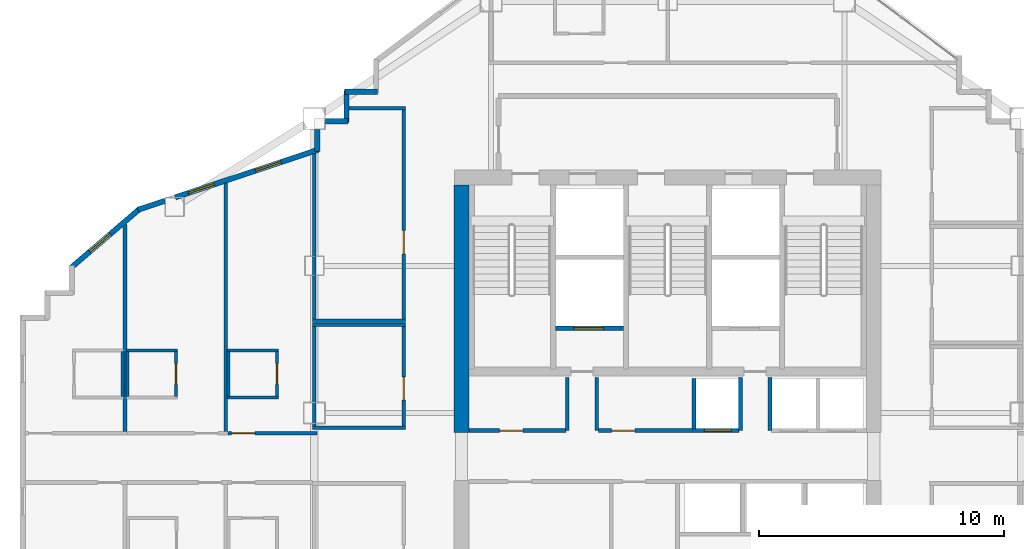
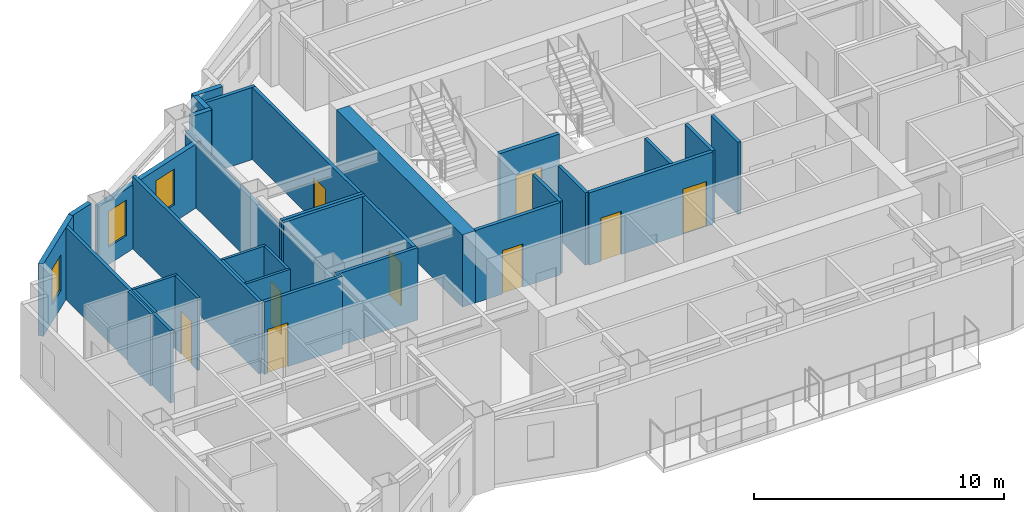
# One storey, part 6 of 11: 35 walls, 9 doors, 3 windows, 12 openings.
"""IFC4 building model written with IfcOpenShell, lengths in metres."""

from ifc_helpers import new_model, si_unit, direction, frame, frame_2d, origin, place, context, subcontext, project, spatial, rectangle, extrude, material, layer, layer_set, type_object, element, fill, save


model = new_model("IFC4")

# Units and contexts
model_context = context("Model", 3, precision=1e-05, world=origin(), true_north=direction((0.0, 1.0)))
body_context = subcontext(model_context, "Body", "Model", "MODEL_VIEW")
ifc_project = project(units=[si_unit("LENGTHUNIT", "METRE"), si_unit("AREAUNIT", "SQUARE_METRE"), si_unit("VOLUMEUNIT", "CUBIC_METRE"), si_unit("PLANEANGLEUNIT", "RADIAN"), si_unit("MASSUNIT", "GRAM", prefix="KILO")], contexts=[model_context])

# Site, building, storey
site_placement = place(None, origin())
site = spatial("IfcSite", under=ifc_project, at=site_placement, CompositionType="ELEMENT")
building_placement = place(site_placement, origin())
building = spatial("IfcBuilding", under=site, at=building_placement, Name="Haolan Belvedere Tower", CompositionType="ELEMENT")
storey_placement = place(building_placement, frame((0.0, 0.0, 226.800048828125)))
storey = spatial("IfcBuildingStorey", under=building, at=storey_placement, Name="L57", CompositionType="ELEMENT", Elevation=226.800048828125)

# Walls
ifc_material_1 = material(Name="Concrete C60/75", Category="concrete")
ifc_layer_1 = layer(ifc_material_1, 0.60009765625, Name="Concrete C60/75")
ifc_layer_set_1 = layer_set([ifc_layer_1], Name="Concrete C60/75")
wall_type_1 = type_object("IfcWallType", Name="WL-CORE-600", PredefinedType="SHEAR", material=ifc_layer_set_1)
wall_1_placement = place(storey_placement, frame((30.0, 32.800048828125, 0.0), z_axis=(0.0, 0.0, 1.0), x_axis=(0.0, 1.0, 0.0)))
element("IfcWall", 1, at=wall_1_placement, inside=storey, type_object=wall_type_1, Name="L57 central core shear wall WN", PredefinedType="SHEAR", context=body_context, shape_type="SweptSolid", body=[
    extrude(rectangle(XDim=10.099853515625, YDim=0.60009765625, at=frame_2d((5.0498046875, 0.0))), origin(), (0.0, 0.0, 1.0), 3.5400390625),
])
ifc_material_2 = material(Name="Precast concrete C40/50", Category="concrete")
ifc_layer_2 = layer(ifc_material_2, 0.219970703125, Name="Precast concrete C40/50")
ifc_layer_set_2 = layer_set([ifc_layer_2], Name="Precast concrete C40/50")
wall_type_2 = type_object("IfcWallType", Name="WL-EXT-220", PredefinedType="SOLIDWALL", material=ifc_layer_set_2)
for number, where, z_axis, x_axis, name in (
    (2, (26.56494140625, 46.68994140625, 0.0), (0.0, 0.0, 1.0), (-1.0, 0.0, 0.0), "L57 pale-metal exterior spandrel wall 25.1"),
    (3, (25.31005859375, 46.7451171875, 0.0), (0.0, 0.0, 1.0), (0.0, -1.0, 0.0), "L57 pale-metal exterior spandrel wall 26.1"),
):
    element("IfcWall", number, at=place(storey_placement, frame(where, z_axis=z_axis, x_axis=x_axis)), inside=storey, type_object=wall_type_2, Name=name, PredefinedType="SOLIDWALL", context=body_context, shape_type="SweptSolid", body=[
        extrude(rectangle(XDim=1.31005859375, YDim=0.219970703125, at=frame_2d((0.655029296875, 0.0))), origin(), (0.0, 0.0, 1.0), 3.5400390625),
    ])
wall_2_placement = place(storey_placement, frame((25.364990234375, 45.489990234375, 0.0), z_axis=(0.0, 0.0, 1.0), x_axis=(-1.0, 0.0, 0.0)))
element("IfcWall", 4, at=wall_2_placement, inside=storey, type_object=wall_type_2, Name="L57 pale-metal exterior spandrel wall 27.1", PredefinedType="SOLIDWALL", context=body_context, shape_type="SweptSolid", body=[
    extrude(rectangle(XDim=0.923095703125, YDim=0.219970703125, at=frame_2d((0.46142578125, 0.0))), origin(), (0.0, 0.0, 1.0), 3.5400390625),
])
wall_3_placement = place(storey_placement, frame((24.110107421875, 45.157958984375, 0.0), z_axis=(0.0, 0.0, 1.0), x_axis=(0.0, -1.0, 0.0)))
element("IfcWall", 5, at=wall_3_placement, inside=storey, type_object=wall_type_2, Name="L57 pale-metal exterior spandrel wall 28.1", PredefinedType="SOLIDWALL", context=body_context, shape_type="SweptSolid", body=[
    extrude(rectangle(XDim=0.892333984375, YDim=0.219970703125, at=frame_2d((0.4462890625, 0.0))), origin(), (0.0, 0.0, 1.0), 3.135009765625),
])

# Wall, openings, windows
wall_4_placement = place(storey_placement, frame((24.162109375, 44.338134765625, 0.0), z_axis=(0.0, 0.0, 1.0), x_axis=(-0.948687265055, -0.316215864755, 0.0)))
wall_4 = element("IfcWall", 6, at=wall_4_placement, inside=storey, type_object=wall_type_2, Name="L57 pale-metal exterior spandrel wall 29.1", PredefinedType="SOLIDWALL", context=body_context, shape_type="SweptSolid", body=[
    extrude(rectangle(XDim=6.154052734375, YDim=0.219970703125, at=frame_2d((3.0771484375, 0.0))), origin(), (0.0, 0.0, 1.0), 3.135009765625),
])
opening_1_placement = place(wall_4_placement, frame((1.60009765625, 0.0, 0.85009765625)))
opening_1 = element("IfcOpeningElement", 7, at=opening_1_placement, cuts=wall_4, Name="Opening W-03", PredefinedType="OPENING", context=body_context, shape_type="SweptSolid", body=[
    extrude(rectangle(XDim=1.10009765625, YDim=1.75, at=frame_2d((0.550048828125, 0.875))), frame((0.0, 0.119873046875, 0.0), z_axis=(0.0, -1.0, 0.0), x_axis=(1.0, 0.0, 0.0)), (0.0, 0.0, 1.0), 0.239990234375),
])
opening_2_placement = place(wall_4_placement, frame((4.48828125, 0.0, 0.85009765625)))
opening_2 = element("IfcOpeningElement", 8, at=opening_2_placement, cuts=wall_4, Name="Opening W-03", PredefinedType="OPENING", context=body_context, shape_type="SweptSolid", body=[
    extrude(rectangle(XDim=1.10009765625, YDim=1.75, at=frame_2d((0.550048828125, 0.875))), frame((0.0, 0.119873046875, 0.0), z_axis=(0.0, -1.0, 0.0), x_axis=(1.0, 0.0, 0.0)), (0.0, 0.0, 1.0), 0.239990234375),
])
ifc_material_3 = material(Name="Anodised aluminium 6063-T6 and Low-E glass", Category="aluminium")
window_type = type_object("IfcWindowType", Name="WN-DECO-Z3", PartitioningType="SINGLE_PANEL", PredefinedType="WINDOW", material=ifc_material_3)
window_1_placement = place(opening_1_placement, origin())
window_1 = element("IfcWindow", 9, at=window_1_placement, inside=storey, type_object=window_type, Name="L57 Art Deco chevron window 1", OverallHeight=1.75, OverallWidth=1.10009765625, PartitioningType="SINGLE_PANEL", PredefinedType="WINDOW", context=body_context, shape_type="SweptSolid", body=[
    extrude(rectangle(XDim=1.10009765625, YDim=1.75, at=frame_2d((0.550048828125, 0.875))), frame((0.0, 0.030029296875, 0.0), z_axis=(0.0, -1.0, 0.0), x_axis=(1.0, 0.0, 0.0)), (0.0, 0.0, 1.0), 0.06005859375),
])
fill(opening_1, window_1)
window_2_placement = place(opening_2_placement, origin())
window_2 = element("IfcWindow", 10, at=window_2_placement, inside=storey, type_object=window_type, Name="L57 Art Deco guestroom window 1", OverallHeight=1.75, OverallWidth=1.10009765625, PartitioningType="SINGLE_PANEL", PredefinedType="WINDOW", context=body_context, shape_type="SweptSolid", body=[
    extrude(rectangle(XDim=1.10009765625, YDim=1.75, at=frame_2d((0.550048828125, 0.875))), frame((0.0, 0.030029296875, 0.0), z_axis=(0.0, -1.0, 0.0), x_axis=(1.0, 0.0, 0.0)), (0.0, 0.0, 1.0), 0.06005859375),
])
fill(opening_2, window_2)

# Wall
wall_5_placement = place(storey_placement, frame((17.907958984375, 42.25341796875, 0.0), z_axis=(0.0, 0.0, 1.0), x_axis=(-0.948662335685, -0.316290646166, 0.0)))
element("IfcWall", 11, at=wall_5_placement, inside=storey, type_object=wall_type_2, Name="L57 pale-metal exterior spandrel wall 29.2", PredefinedType="SOLIDWALL", context=body_context, shape_type="SweptSolid", body=[
    extrude(rectangle(XDim=1.164794921875, YDim=0.219970703125, at=frame_2d((0.58251953125, 0.0))), origin(), (0.0, 0.0, 1.0), 3.5400390625),
])

# Wall, opening, window
wall_6_placement = place(storey_placement, frame((16.89697265625, 41.938232421875, 0.0), z_axis=(0.0, 0.0, 1.0), x_axis=(-0.759279729622, -0.650764390686, 0.0)))
wall_6 = element("IfcWall", 12, at=wall_6_placement, inside=storey, type_object=wall_type_2, Name="L57 pale-metal exterior spandrel wall 30.1", PredefinedType="SOLIDWALL", context=body_context, shape_type="SweptSolid", body=[
    extrude(rectangle(XDim=3.725830078125, YDim=0.219970703125, at=frame_2d((1.86279296875, 0.0))), origin(), (0.0, 0.0, 1.0), 3.5400390625),
])
opening_3_placement = place(wall_6_placement, frame((1.60009765625, 0.0, 0.85009765625)))
opening_3 = element("IfcOpeningElement", 13, at=opening_3_placement, cuts=wall_6, Name="Opening W-03", PredefinedType="OPENING", context=body_context, shape_type="SweptSolid", body=[
    extrude(rectangle(XDim=1.10009765625, YDim=1.75, at=frame_2d((0.550048828125, 0.875))), frame((0.0, 0.119873046875, 0.0), z_axis=(0.0, -1.0, 0.0), x_axis=(1.0, 0.0, 0.0)), (0.0, 0.0, 1.0), 0.239990234375),
])
window_3_placement = place(opening_3_placement, origin())
window_3 = element("IfcWindow", 14, at=window_3_placement, inside=storey, type_object=window_type, Name="L57 Art Deco chevron window 1", OverallHeight=1.75, OverallWidth=1.10009765625, PartitioningType="SINGLE_PANEL", PredefinedType="WINDOW", context=body_context, shape_type="SweptSolid", body=[
    extrude(rectangle(XDim=1.10009765625, YDim=1.75, at=frame_2d((0.550048828125, 0.875))), frame((0.0, 0.030029296875, 0.0), z_axis=(0.0, -1.0, 0.0), x_axis=(1.0, 0.0, 0.0)), (0.0, 0.0, 1.0), 0.06005859375),
])
fill(opening_3, window_3)

# Walls
ifc_material_4 = material(Name="Double gypsum acoustic stud partition", Category="masonry")
ifc_layer_3 = layer(ifc_material_4, 0.14990234375, Name="Double gypsum acoustic stud partition")
ifc_layer_set_3 = layer_set([ifc_layer_3], Name="Double gypsum acoustic stud partition")
wall_type_3 = type_object("IfcWallType", Name="WL-PART-150", PredefinedType="PARTITIONING", material=ifc_layer_set_3)
for number, where, z_axis, x_axis, name in (
    (15, (23.919921875, 37.199951171875, 0.0), (0.0, 0.0, 1.0), (1.0, 0.0, 0.0), "L57 interior partition IW-L57-HSK-N"),
    (16, (23.919921875, 33.0, 0.0), (0.0, 0.0, 1.0), (1.0, 0.0, 0.0), "L57 interior partition IW-L57-HSK-S"),
):
    element("IfcWall", number, at=place(storey_placement, frame(where, z_axis=z_axis, x_axis=x_axis)), inside=storey, type_object=wall_type_3, Name=name, PredefinedType="PARTITIONING", context=body_context, shape_type="SweptSolid", body=[
        extrude(rectangle(XDim=3.800048828125, YDim=0.14990234375, at=frame_2d((1.89990234375, 0.0))), origin(), (0.0, 0.0, 1.0), 3.5400390625),
    ])
wall_7_placement = place(storey_placement, frame((24.0, 33.06005859375, 0.0), z_axis=(0.0, 0.0, 1.0), x_axis=(0.0, 1.0, 0.0)))
element("IfcWall", 17, at=wall_7_placement, inside=storey, type_object=wall_type_3, Name="L57 interior partition IW-L57-HSK-W", PredefinedType="PARTITIONING", context=body_context, shape_type="SweptSolid", body=[
    extrude(rectangle(XDim=4.079833984375, YDim=0.14990234375, at=frame_2d((2.0400390625, 0.0))), origin(), (0.0, 0.0, 1.0), 3.135009765625),
])

# Wall, opening, door
wall_8_placement = place(storey_placement, frame((27.639892578125, 33.06005859375, 0.0), z_axis=(0.0, 0.0, 1.0), x_axis=(0.0, 1.0, 0.0)))
wall_8 = element("IfcWall", 18, at=wall_8_placement, inside=storey, type_object=wall_type_3, Name="L57 interior partition IW-L57-HSK-E", PredefinedType="PARTITIONING", context=body_context, shape_type="SweptSolid", body=[
    extrude(rectangle(XDim=4.079833984375, YDim=0.14990234375, at=frame_2d((2.0400390625, 0.0))), origin(), (0.0, 0.0, 1.0), 3.5400390625),
])
opening_4_placement = place(wall_8_placement, frame((2.010009765625, 0.0, 0.0), z_axis=(0.0, 0.0, 1.0), x_axis=(-1.0, 0.0, 0.0)))
opening_4 = element("IfcOpeningElement", 19, at=opening_4_placement, cuts=wall_8, Name="Opening ID-03", PredefinedType="OPENING", context=body_context, shape_type="SweptSolid", body=[
    extrude(rectangle(XDim=0.949951171875, YDim=2.1201171875, at=frame_2d((0.47509765625, 1.06005859375))), frame((0.0, 0.0849609375, 0.0), z_axis=(0.0, -1.0, 0.0), x_axis=(1.0, 0.0, 0.0)), (0.0, 0.0, 1.0), 0.169921875),
])
ifc_material_5 = material(Name="Painted solid-core timber", Category="wood")
door_type_1 = type_object("IfcDoorType", Name="DR-INT-950", OperationType="NOTDEFINED", PredefinedType="DOOR", material=ifc_material_5)
door_1_placement = place(opening_4_placement, origin())
door_1 = element("IfcDoor", 20, at=door_1_placement, inside=storey, type_object=door_type_1, Name="L57 door ID-L57-HSK", OperationType="SINGLE_SWING_LEFT", OverallHeight=2.1201171875, OverallWidth=0.949951171875, PredefinedType="DOOR", context=body_context, shape_type="SweptSolid", body=[
    extrude(rectangle(XDim=0.949951171875, YDim=2.1201171875, at=frame_2d((0.47509765625, 1.06005859375))), frame((0.0, 0.02490234375, 0.0), z_axis=(0.0, -1.0, 0.0), x_axis=(1.0, 0.0, 0.0)), (0.0, 0.0, 1.0), 0.050048828125),
])
fill(opening_4, door_1)

# Walls
wall_9_placement = place(storey_placement, frame((25.412109375, 46.02001953125, 0.0), z_axis=(0.0, 0.0, 1.0), x_axis=(1.0, 0.0, 0.0)))
element("IfcWall", 21, at=wall_9_placement, inside=storey, type_object=wall_type_3, Name="L57 interior partition IW-L57-MTG-N", PredefinedType="PARTITIONING", context=body_context, shape_type="SweptSolid", body=[
    extrude(rectangle(XDim=2.307861328125, YDim=0.14990234375, at=frame_2d((1.15380859375, 0.0))), origin(), (0.0, 0.0, 1.0), 3.5400390625),
])
wall_10_placement = place(storey_placement, frame((23.919921875, 37.360107421875, 0.0), z_axis=(0.0, 0.0, 1.0), x_axis=(1.0, 0.0, 0.0)))
element("IfcWall", 22, at=wall_10_placement, inside=storey, type_object=wall_type_3, Name="L57 interior partition IW-L57-MTG-S", PredefinedType="PARTITIONING", context=body_context, shape_type="SweptSolid", body=[
    extrude(rectangle(XDim=3.800048828125, YDim=0.14990234375, at=frame_2d((1.89990234375, 0.0))), origin(), (0.0, 0.0, 1.0), 3.5400390625),
])
wall_11_placement = place(storey_placement, frame((24.0, 37.419921875, 0.0), z_axis=(0.0, 0.0, 1.0), x_axis=(0.0, 1.0, 0.0)))
element("IfcWall", 23, at=wall_11_placement, inside=storey, type_object=wall_type_3, Name="L57 interior partition IW-L57-MTG-W", PredefinedType="PARTITIONING", context=body_context, shape_type="SweptSolid", body=[
    extrude(rectangle(XDim=6.756591796875, YDim=0.14990234375, at=frame_2d((3.37841796875, 0.0))), origin(), (0.0, 0.0, 1.0), 3.135009765625),
])

# Wall, opening, door
wall_12_placement = place(storey_placement, frame((27.639892578125, 37.419921875, 0.0), z_axis=(0.0, 0.0, 1.0), x_axis=(0.0, 1.0, 0.0)))
wall_12 = element("IfcWall", 24, at=wall_12_placement, inside=storey, type_object=wall_type_3, Name="L57 interior partition IW-L57-MTG-E", PredefinedType="PARTITIONING", context=body_context, shape_type="SweptSolid", body=[
    extrude(rectangle(XDim=8.5400390625, YDim=0.14990234375, at=frame_2d((4.27001953125, 0.0))), origin(), (0.0, 0.0, 1.0), 3.5400390625),
])
opening_5_placement = place(wall_12_placement, frame((3.60986328125, 0.0, 0.0), z_axis=(0.0, 0.0, 1.0), x_axis=(-1.0, 0.0, 0.0)))
opening_5 = element("IfcOpeningElement", 25, at=opening_5_placement, cuts=wall_12, Name="Opening ID-03", PredefinedType="OPENING", context=body_context, shape_type="SweptSolid", body=[
    extrude(rectangle(XDim=0.949951171875, YDim=2.1201171875, at=frame_2d((0.47509765625, 1.06005859375))), frame((0.0, 0.0849609375, 0.0), z_axis=(0.0, -1.0, 0.0), x_axis=(1.0, 0.0, 0.0)), (0.0, 0.0, 1.0), 0.169921875),
])
door_2_placement = place(opening_5_placement, origin())
door_2 = element("IfcDoor", 26, at=door_2_placement, inside=storey, type_object=door_type_1, Name="L57 door ID-L57-MTG", OperationType="SINGLE_SWING_RIGHT", OverallHeight=2.1201171875, OverallWidth=0.949951171875, PredefinedType="DOOR", context=body_context, shape_type="SweptSolid", body=[
    extrude(rectangle(XDim=0.949951171875, YDim=2.1201171875, at=frame_2d((0.47509765625, 1.06005859375))), frame((0.0, 0.02490234375, 0.0), z_axis=(0.0, -1.0, 0.0), x_axis=(1.0, 0.0, 0.0)), (0.0, 0.0, 1.0), 0.050048828125),
])
fill(opening_5, door_2)

# Walls
wall_13_placement = place(storey_placement, frame((16.280029296875, 32.840087890625, 0.0), z_axis=(0.0, 0.0, 1.0), x_axis=(0.0, 1.0, 0.0)))
element("IfcWall", 27, at=wall_13_placement, inside=storey, type_object=wall_type_3, Name="L57 interior partition IW-L57-T2N1-E", PredefinedType="PARTITIONING", context=body_context, shape_type="SweptSolid", body=[
    extrude(rectangle(XDim=8.43505859375, YDim=0.14990234375, at=frame_2d((4.217529296875, 0.0))), origin(), (0.0, 0.0, 1.0), 3.5400390625),
])
wall_14_placement = place(storey_placement, frame((20.3798828125, 32.840087890625, 0.0), z_axis=(0.0, 0.0, 1.0), x_axis=(0.0, 1.0, 0.0)))
element("IfcWall", 28, at=wall_14_placement, inside=storey, type_object=wall_type_3, Name="L57 interior partition IW-L57-T2N2-E", PredefinedType="PARTITIONING", context=body_context, shape_type="SweptSolid", body=[
    extrude(rectangle(XDim=10.1298828125, YDim=0.14990234375, at=frame_2d((5.06494140625, 0.0))), origin(), (0.0, 0.0, 1.0), 3.5400390625),
])

# Wall, opening, door
wall_15_placement = place(storey_placement, frame((20.48193359375, 32.780029296875, 0.0), z_axis=(0.0, 0.0, 1.0), x_axis=(1.0, 0.0, 0.0)))
wall_15 = element("IfcWall", 29, at=wall_15_placement, inside=storey, type_object=wall_type_3, Name="L57 interior partition IW-L57-T2N3-S", PredefinedType="PARTITIONING", context=body_context, shape_type="SweptSolid", body=[
    extrude(rectangle(XDim=3.6181640625, YDim=0.14990234375, at=frame_2d((1.80908203125, 0.0))), origin(), (0.0, 0.0, 1.0), 3.5400390625),
])
opening_6_placement = place(wall_15_placement, frame((0.139892578125, 0.0, 0.0)))
opening_6 = element("IfcOpeningElement", 30, at=opening_6_placement, cuts=wall_15, Name="Opening ID-02", PredefinedType="OPENING", context=body_context, shape_type="SweptSolid", body=[
    extrude(rectangle(XDim=0.949951171875, YDim=2.14990234375, at=frame_2d((0.47509765625, 1.074951171875))), frame((0.0, 0.0849609375, 0.0), z_axis=(0.0, -1.0, 0.0), x_axis=(1.0, 0.0, 0.0)), (0.0, 0.0, 1.0), 0.169921875),
])
ifc_material_6 = material(Name="Acoustic oak veneer fire-rated timber", Category="wood")
door_type_2 = type_object("IfcDoorType", Name="DR-GUEST-950", OperationType="NOTDEFINED", PredefinedType="DOOR", material=ifc_material_6)
door_3_placement = place(opening_6_placement, origin())
door_3 = element("IfcDoor", 31, at=door_3_placement, inside=storey, type_object=door_type_2, Name="L57 door ID-L57-T2N3-ENT", OperationType="SINGLE_SWING_LEFT", OverallHeight=2.14990234375, OverallWidth=0.949951171875, PredefinedType="DOOR", context=body_context, shape_type="SweptSolid", body=[
    extrude(rectangle(XDim=0.949951171875, YDim=2.14990234375, at=frame_2d((0.47509765625, 1.074951171875))), frame((0.0, 0.02490234375, 0.0), z_axis=(0.0, -1.0, 0.0), x_axis=(1.0, 0.0, 0.0)), (0.0, 0.0, 1.0), 0.050048828125),
])
fill(opening_6, door_3)

# Walls
ifc_material_7 = material(Name="Gypsum fire shaftwall assembly", Category="masonry")
ifc_layer_4 = layer(ifc_material_7, 0.1650390625, Name="Gypsum fire shaftwall assembly")
ifc_layer_set_4 = layer_set([ifc_layer_4], Name="Gypsum fire shaftwall assembly")
wall_type_4 = type_object("IfcWallType", Name="WL-SHAFT-160", PredefinedType="SOLIDWALL", material=ifc_layer_set_4)
for number, where, z_axis, x_axis, name in (
    (32, (34.31005859375, 32.8798828125, 0.0), (0.0, 0.0, 1.0), (0.0, 1.0, 0.0), "L57 interior partition IW-L57-SVP-W-SV1"),
    (33, (35.510009765625, 32.8798828125, 0.0), (0.0, 0.0, 1.0), (0.0, 1.0, 0.0), "L57 interior partition IW-L57-SVP-E-SV1"),
    (34, (41.3701171875, 32.8798828125, 0.0), (0.0, 0.0, 1.0), (0.0, 1.0, 0.0), "L57 interior partition IW-L57-SVP-W-SV2"),
    (35, (42.570068359375, 32.8798828125, 0.0), (0.0, 0.0, 1.0), (0.0, 1.0, 0.0), "L57 interior partition IW-L57-SVP-E-SV2"),
):
    element("IfcWall", number, at=place(storey_placement, frame(where, z_axis=z_axis, x_axis=x_axis)), inside=storey, type_object=wall_type_4, Name=name, PredefinedType="SOLIDWALL", context=body_context, shape_type="SweptSolid", body=[
        extrude(rectangle(XDim=2.170166015625, YDim=0.14990234375, at=frame_2d((1.0849609375, 0.0))), origin(), (0.0, 0.0, 1.0), 3.5400390625),
    ])

# Wall, opening, door
wall_16_placement = place(storey_placement, frame((30.300048828125, 32.8798828125, 0.0), z_axis=(0.0, 0.0, 1.0), x_axis=(1.0, 0.0, 0.0)))
wall_16 = element("IfcWall", 36, at=wall_16_placement, inside=storey, type_object=wall_type_4, Name="L57 interior partition IW-L57-ROW-PN1", PredefinedType="SOLIDWALL", context=body_context, shape_type="SweptSolid", body=[
    extrude(rectangle(XDim=3.949951171875, YDim=0.159912109375, at=frame_2d((1.97509765625, 0.0))), origin(), (0.0, 0.0, 1.0), 3.5400390625),
])
opening_7_placement = place(wall_16_placement, frame((2.199951171875, 0.0, 0.0), z_axis=(0.0, 0.0, 1.0), x_axis=(-1.0, 0.0, 0.0)))
opening_7 = element("IfcOpeningElement", 37, at=opening_7_placement, cuts=wall_16, Name="Opening ID-03", PredefinedType="OPENING", context=body_context, shape_type="SweptSolid", body=[
    extrude(rectangle(XDim=0.949951171875, YDim=2.1201171875, at=frame_2d((0.47509765625, 1.06005859375))), frame((0.0, 0.08984375, 0.0), z_axis=(0.0, -1.0, 0.0), x_axis=(1.0, 0.0, 0.0)), (0.0, 0.0, 1.0), 0.179931640625),
])
door_4_placement = place(opening_7_placement, origin())
door_4 = element("IfcDoor", 38, at=door_4_placement, inside=storey, type_object=door_type_1, Name="L57 door ID-L57-CD-RPLW", OperationType="SINGLE_SWING_LEFT", OverallHeight=2.1201171875, OverallWidth=0.949951171875, PredefinedType="DOOR", context=body_context, shape_type="SweptSolid", body=[
    extrude(rectangle(XDim=0.949951171875, YDim=2.1201171875, at=frame_2d((0.47509765625, 1.06005859375))), frame((0.0, 0.02490234375, 0.0), z_axis=(0.0, -1.0, 0.0), x_axis=(1.0, 0.0, 0.0)), (0.0, 0.0, 1.0), 0.050048828125),
])
fill(opening_7, door_4)

# Wall, openings, doors
wall_17_placement = place(storey_placement, frame((35.570068359375, 32.8798828125, 0.0), z_axis=(0.0, 0.0, 1.0), x_axis=(1.0, 0.0, 0.0)))
wall_17 = element("IfcWall", 39, at=wall_17_placement, inside=storey, type_object=wall_type_4, Name="L57 interior partition IW-L57-ROW-PN2", PredefinedType="SOLIDWALL", context=body_context, shape_type="SweptSolid", body=[
    extrude(rectangle(XDim=5.739990234375, YDim=0.159912109375, at=frame_2d((2.8701171875, 0.0))), origin(), (0.0, 0.0, 1.0), 3.5400390625),
])
opening_8_placement = place(wall_17_placement, frame((1.489990234375, 0.0, 0.0), z_axis=(0.0, 0.0, 1.0), x_axis=(-1.0, 0.0, 0.0)))
opening_8 = element("IfcOpeningElement", 40, at=opening_8_placement, cuts=wall_17, Name="Opening ID-03", PredefinedType="OPENING", context=body_context, shape_type="SweptSolid", body=[
    extrude(rectangle(XDim=0.949951171875, YDim=2.1201171875, at=frame_2d((0.47509765625, 1.06005859375))), frame((0.0, 0.08984375, 0.0), z_axis=(0.0, -1.0, 0.0), x_axis=(1.0, 0.0, 0.0)), (0.0, 0.0, 1.0), 0.179931640625),
])
opening_9_placement = place(wall_17_placement, frame((5.43017578125, 0.0, 0.0), z_axis=(0.0, 0.0, 1.0), x_axis=(-1.0, 0.0, 0.0)))
opening_9 = element("IfcOpeningElement", 41, at=opening_9_placement, cuts=wall_17, Name="Opening LD-01", PredefinedType="OPENING", context=body_context, shape_type="SweptSolid", body=[
    extrude(rectangle(XDim=1.10009765625, YDim=2.199951171875, at=frame_2d((0.550048828125, 1.10009765625))), frame((0.0, 0.08984375, 0.0), z_axis=(0.0, -1.0, 0.0), x_axis=(1.0, 0.0, 0.0)), (0.0, 0.0, 1.0), 0.179931640625),
])
door_5_placement = place(opening_8_placement, origin())
door_5 = element("IfcDoor", 42, at=door_5_placement, inside=storey, type_object=door_type_1, Name="L57 door ID-L57-CD-RPLE", OperationType="SINGLE_SWING_RIGHT", OverallHeight=2.1201171875, OverallWidth=0.949951171875, PredefinedType="DOOR", context=body_context, shape_type="SweptSolid", body=[
    extrude(rectangle(XDim=0.949951171875, YDim=2.1201171875, at=frame_2d((0.47509765625, 1.06005859375))), frame((0.0, 0.02490234375, 0.0), z_axis=(0.0, -1.0, 0.0), x_axis=(1.0, 0.0, 0.0)), (0.0, 0.0, 1.0), 0.050048828125),
])
fill(opening_8, door_5)
ifc_material_8 = material(Name="Brushed champagne stainless steel 316L", Category="steel")
door_type_3 = type_object("IfcDoorType", Name="DR-LIFT-1100", OperationType="SLIDING_TO_LEFT", PredefinedType="DOOR", material=ifc_material_8)
door_6_placement = place(opening_9_placement, origin())
door_6 = element("IfcDoor", 43, at=door_6_placement, inside=storey, type_object=door_type_3, Name="L57 door ID-L57-LD-PH1", OperationType="SLIDING_TO_RIGHT", OverallHeight=2.199951171875, OverallWidth=1.10009765625, PredefinedType="DOOR", context=body_context, shape_type="SweptSolid", body=[
    extrude(rectangle(XDim=1.10009765625, YDim=2.199951171875, at=frame_2d((0.550048828125, 1.10009765625))), frame((0.0, 0.02490234375, 0.0), z_axis=(0.0, -1.0, 0.0), x_axis=(1.0, 0.0, 0.0)), (0.0, 0.0, 1.0), 0.050048828125),
])
fill(opening_9, door_6)

# Wall
wall_18_placement = place(storey_placement, frame((39.469970703125, 32.949951171875, 0.0), z_axis=(0.0, 0.0, 1.0), x_axis=(0.0, 1.0, 0.0)))
element("IfcWall", 44, at=wall_18_placement, inside=storey, type_object=wall_type_4, Name="L57 interior partition IW-L57-DIV-PL4R", PredefinedType="SOLIDWALL", context=body_context, shape_type="SweptSolid", body=[
    extrude(rectangle(XDim=2.050048828125, YDim=0.14990234375, at=frame_2d((1.02490234375, 0.0))), origin(), (0.0, 0.0, 1.0), 3.5400390625),
])

# Wall, opening, door
ifc_layer_5 = layer(ifc_material_2, 0.179931640625, Name="Precast concrete C40/50")
ifc_layer_set_5 = layer_set([ifc_layer_5], Name="Precast concrete C40/50")
wall_type_5 = type_object("IfcWallType", Name="WL-SHAFT-180", PredefinedType="SOLIDWALL", material=ifc_layer_set_5)
wall_19_placement = place(storey_placement, frame((33.8349609375, 37.050048828125, 0.0), z_axis=(0.0, 0.0, 1.0), x_axis=(1.0, 0.0, 0.0)))
wall_19 = element("IfcWall", 45, at=wall_19_placement, inside=storey, type_object=wall_type_5, Name="L57 interior partition IW-L57-SV1-S", PredefinedType="SOLIDWALL", context=body_context, shape_type="SweptSolid", body=[
    extrude(rectangle(XDim=2.77001953125, YDim=0.179931640625, at=frame_2d((1.385009765625, 0.0))), origin(), (0.0, 0.0, 1.0), 3.5400390625),
])
opening_10_placement = place(wall_19_placement, frame((1.945068359375, 0.0, 0.0), z_axis=(0.0, 0.0, 1.0), x_axis=(-1.0, 0.0, 0.0)))
opening_10 = element("IfcOpeningElement", 46, at=opening_10_placement, cuts=wall_19, Name="Opening LD-02", PredefinedType="OPENING", context=body_context, shape_type="SweptSolid", body=[
    extrude(rectangle(XDim=1.199951171875, YDim=2.199951171875, at=frame_2d((0.60009765625, 1.10009765625))), frame((0.0, 0.099853515625, 0.0), z_axis=(0.0, -1.0, 0.0), x_axis=(1.0, 0.0, 0.0)), (0.0, 0.0, 1.0), 0.199951171875),
])
door_type_4 = type_object("IfcDoorType", Name="DR-LIFT-1200", OperationType="SLIDING_TO_RIGHT", PredefinedType="DOOR", material=ifc_material_8)
door_7_placement = place(opening_10_placement, origin())
door_7 = element("IfcDoor", 47, at=door_7_placement, inside=storey, type_object=door_type_4, Name="L57 door ID-L57-LD-SV1", OperationType="SLIDING_TO_RIGHT", OverallHeight=2.199951171875, OverallWidth=1.199951171875, PredefinedType="DOOR", context=body_context, shape_type="SweptSolid", body=[
    extrude(rectangle(XDim=1.199951171875, YDim=2.199951171875, at=frame_2d((0.60009765625, 1.10009765625))), frame((0.0, 0.02490234375, 0.0), z_axis=(0.0, -1.0, 0.0), x_axis=(1.0, 0.0, 0.0)), (0.0, 0.0, 1.0), 0.050048828125),
])
fill(opening_10, door_7)

# Walls
ifc_material_9 = material(Name="Moisture-resistant gypsum tile partition", Category="masonry")
ifc_layer_6 = layer(ifc_material_9, 0.1201171875, Name="Moisture-resistant gypsum tile partition")
ifc_layer_set_6 = layer_set([ifc_layer_6], Name="Moisture-resistant gypsum tile partition")
wall_type_6 = type_object("IfcWallType", Name="WL-WET-120", PredefinedType="PARTITIONING", material=ifc_layer_set_6)
wall_20_placement = place(storey_placement, frame((16.179931640625, 34.27490234375, 0.0), z_axis=(0.0, 0.0, 1.0), x_axis=(0.0, 1.0, 0.0)))
element("IfcWall", 48, at=wall_20_placement, inside=storey, type_object=wall_type_6, Name="L57 interior partition IW-L57-T2N1-BE", PredefinedType="PARTITIONING", context=body_context, shape_type="SweptSolid", body=[
    extrude(rectangle(XDim=1.830078125, YDim=0.1201171875, at=frame_2d((0.9150390625, 0.0))), origin(), (0.0, 0.0, 1.0), 3.5400390625),
])
wall_21_placement = place(storey_placement, frame((16.340087890625, 36.14990234375, 0.0), z_axis=(0.0, 0.0, 1.0), x_axis=(1.0, 0.0, 0.0)))
element("IfcWall", 49, at=wall_21_placement, inside=storey, type_object=wall_type_6, Name="L57 interior partition IW-L57-T2N2-BN", PredefinedType="PARTITIONING", context=body_context, shape_type="SweptSolid", body=[
    extrude(rectangle(XDim=2.079833984375, YDim=0.1201171875, at=frame_2d((1.0400390625, 0.0))), origin(), (0.0, 0.0, 1.0), 3.5400390625),
])
wall_22_placement = place(storey_placement, frame((16.3798828125, 34.27490234375, 0.0), z_axis=(0.0, 0.0, 1.0), x_axis=(0.0, 1.0, 0.0)))
element("IfcWall", 50, at=wall_22_placement, inside=storey, type_object=wall_type_6, Name="L57 interior partition IW-L57-T2N2-BW", PredefinedType="PARTITIONING", context=body_context, shape_type="SweptSolid", body=[
    extrude(rectangle(XDim=1.830078125, YDim=0.1201171875, at=frame_2d((0.9150390625, 0.0))), origin(), (0.0, 0.0, 1.0), 3.5400390625),
])

# Wall, opening, door
wall_23_placement = place(storey_placement, frame((18.360107421875, 34.27490234375, 0.0), z_axis=(0.0, 0.0, 1.0), x_axis=(0.0, 1.0, 0.0)))
wall_23 = element("IfcWall", 51, at=wall_23_placement, inside=storey, type_object=wall_type_6, Name="L57 interior partition IW-L57-T2N2-BE", PredefinedType="PARTITIONING", context=body_context, shape_type="SweptSolid", body=[
    extrude(rectangle(XDim=1.830078125, YDim=0.1201171875, at=frame_2d((0.9150390625, 0.0))), origin(), (0.0, 0.0, 1.0), 3.5400390625),
])
opening_11_placement = place(wall_23_placement, frame((0.489990234375, 0.0, 0.0)))
opening_11 = element("IfcOpeningElement", 52, at=opening_11_placement, cuts=wall_23, Name="Opening ID-05", PredefinedType="OPENING", context=body_context, shape_type="SweptSolid", body=[
    extrude(rectangle(XDim=0.85009765625, YDim=2.10009765625, at=frame_2d((0.425048828125, 1.050048828125))), frame((0.0, 0.070068359375, 0.0), z_axis=(0.0, -1.0, 0.0), x_axis=(1.0, 0.0, 0.0)), (0.0, 0.0, 1.0), 0.14013671875),
])
ifc_material_10 = material(Name="Moisture-resistant lacquered timber", Category="wood")
door_type_5 = type_object("IfcDoorType", Name="DR-BATH-850", OperationType="NOTDEFINED", PredefinedType="DOOR", material=ifc_material_10)
door_8_placement = place(opening_11_placement, origin())
door_8 = element("IfcDoor", 53, at=door_8_placement, inside=storey, type_object=door_type_5, Name="L57 door ID-L57-T2N2-BATH", OperationType="SINGLE_SWING_LEFT", OverallHeight=2.10009765625, OverallWidth=0.85009765625, PredefinedType="DOOR", context=body_context, shape_type="SweptSolid", body=[
    extrude(rectangle(XDim=0.85009765625, YDim=2.10009765625, at=frame_2d((0.425048828125, 1.050048828125))), frame((0.0, 0.02490234375, 0.0), z_axis=(0.0, -1.0, 0.0), x_axis=(1.0, 0.0, 0.0)), (0.0, 0.0, 1.0), 0.050048828125),
])
fill(opening_11, door_8)

# Walls
for number, where, z_axis, x_axis, name in (
    (54, (20.43994140625, 36.14990234375, 0.0), (0.0, 0.0, 1.0), (1.0, 0.0, 0.0), "L57 interior partition IW-L57-T2N3-BN"),
    (55, (20.43994140625, 34.22998046875, 0.0), (0.0, 0.0, 1.0), (1.0, 0.0, 0.0), "L57 interior partition IW-L57-T2N3-BS"),
):
    element("IfcWall", number, at=place(storey_placement, frame(where, z_axis=z_axis, x_axis=x_axis)), inside=storey, type_object=wall_type_6, Name=name, PredefinedType="PARTITIONING", context=body_context, shape_type="SweptSolid", body=[
        extrude(rectangle(XDim=2.09423828125, YDim=0.1201171875, at=frame_2d((1.047119140625, 0.0))), origin(), (0.0, 0.0, 1.0), 3.5400390625),
    ])
wall_24_placement = place(storey_placement, frame((20.494140625, 34.27490234375, 0.0), z_axis=(0.0, 0.0, 1.0), x_axis=(0.0, 1.0, 0.0)))
element("IfcWall", 56, at=wall_24_placement, inside=storey, type_object=wall_type_6, Name="L57 interior partition IW-L57-T2N3-BW", PredefinedType="PARTITIONING", context=body_context, shape_type="SweptSolid", body=[
    extrude(rectangle(XDim=1.830078125, YDim=0.1201171875, at=frame_2d((0.9150390625, 0.0))), origin(), (0.0, 0.0, 1.0), 3.5400390625),
])

# Wall, opening, door
wall_25_placement = place(storey_placement, frame((22.47412109375, 34.27490234375, 0.0), z_axis=(0.0, 0.0, 1.0), x_axis=(0.0, 1.0, 0.0)))
wall_25 = element("IfcWall", 57, at=wall_25_placement, inside=storey, type_object=wall_type_6, Name="L57 interior partition IW-L57-T2N3-BE", PredefinedType="PARTITIONING", context=body_context, shape_type="SweptSolid", body=[
    extrude(rectangle(XDim=1.830078125, YDim=0.1201171875, at=frame_2d((0.9150390625, 0.0))), origin(), (0.0, 0.0, 1.0), 3.5400390625),
])
opening_12_placement = place(wall_25_placement, frame((0.489990234375, 0.0, 0.0)))
opening_12 = element("IfcOpeningElement", 58, at=opening_12_placement, cuts=wall_25, Name="Opening ID-05", PredefinedType="OPENING", context=body_context, shape_type="SweptSolid", body=[
    extrude(rectangle(XDim=0.85009765625, YDim=2.10009765625, at=frame_2d((0.425048828125, 1.050048828125))), frame((0.0, 0.070068359375, 0.0), z_axis=(0.0, -1.0, 0.0), x_axis=(1.0, 0.0, 0.0)), (0.0, 0.0, 1.0), 0.14013671875),
])
door_9_placement = place(opening_12_placement, origin())
door_9 = element("IfcDoor", 59, at=door_9_placement, inside=storey, type_object=door_type_5, Name="L57 door ID-L57-T2N3-BATH", OperationType="SINGLE_SWING_RIGHT", OverallHeight=2.10009765625, OverallWidth=0.85009765625, PredefinedType="DOOR", context=body_context, shape_type="SweptSolid", body=[
    extrude(rectangle(XDim=0.85009765625, YDim=2.10009765625, at=frame_2d((0.425048828125, 1.050048828125))), frame((0.0, 0.02490234375, 0.0), z_axis=(0.0, -1.0, 0.0), x_axis=(1.0, 0.0, 0.0)), (0.0, 0.0, 1.0), 0.050048828125),
])
fill(opening_12, door_9)

save(model, "model.ifc")
